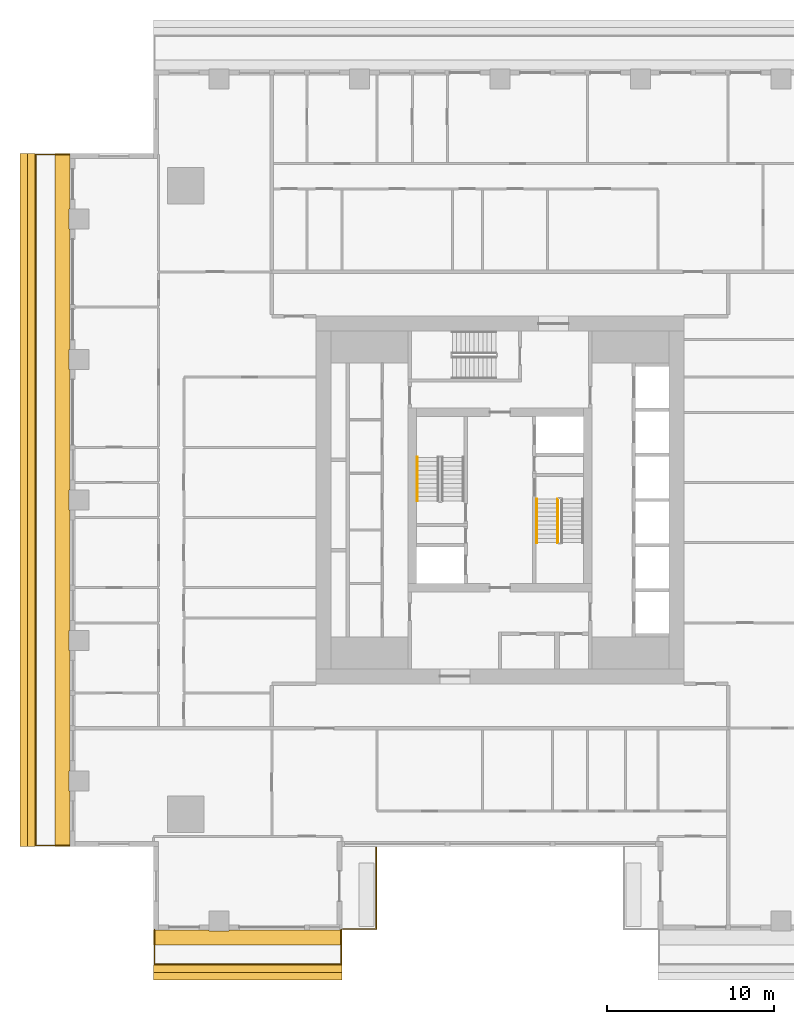
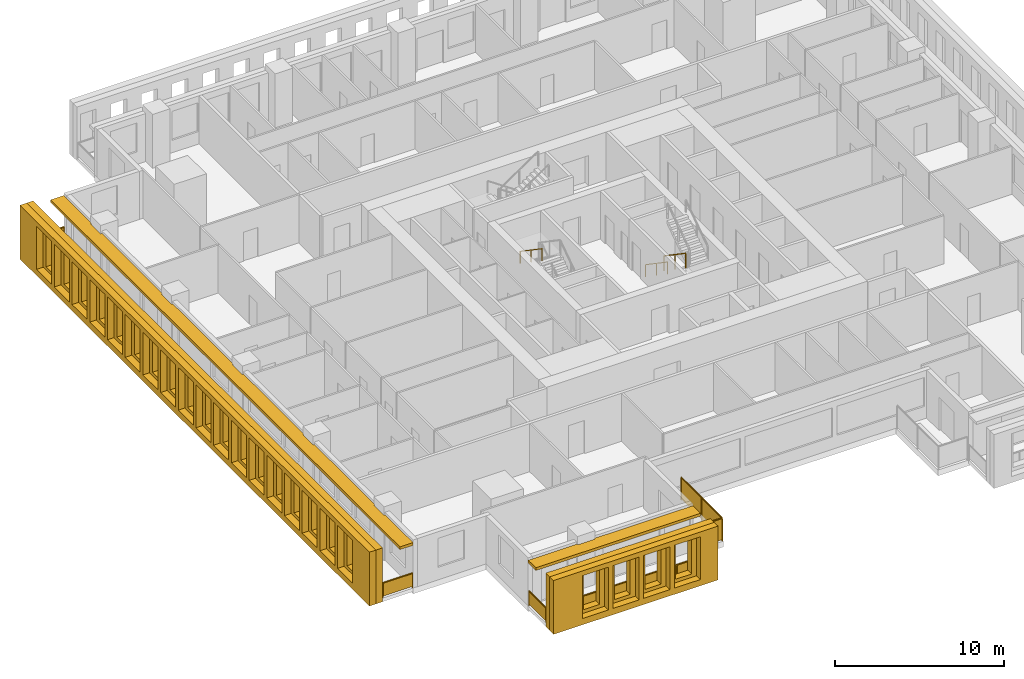
# One storey, part 10 of 14: 6 railings, 6 shading devices.
"""IFC4 building model written with IfcOpenShell, lengths in metres."""

from ifc_helpers import new_model, si_unit, direction, frame, origin, origin_2d, place, context, subcontext, project, spatial, polyline, rectangle, outline, extrude, material, layer, layer_set, type_object, element, save


model = new_model("IFC4")

# Units and contexts
model_context = context("Model", 3, precision=1e-05, world=origin(), true_north=direction((0.0, 1.0)))
body_context = subcontext(model_context, "Body", "Model", "MODEL_VIEW")
ifc_project = project(units=[si_unit("LENGTHUNIT", "METRE"), si_unit("AREAUNIT", "SQUARE_METRE"), si_unit("VOLUMEUNIT", "CUBIC_METRE"), si_unit("PLANEANGLEUNIT", "RADIAN"), si_unit("MASSUNIT", "GRAM", prefix="KILO")], contexts=[model_context])

# Site, building, storey
site_placement = place(None, origin())
site = spatial("IfcSite", under=ifc_project, at=site_placement, CompositionType="ELEMENT")
building_placement = place(site_placement, origin())
building = spatial("IfcBuilding", under=site, at=building_placement, Name="Khepri Terraces", CompositionType="ELEMENT")
storey_placement = place(building_placement, frame((0.0, 0.0, 264.0)))
storey = spatial("IfcBuildingStorey", under=building, at=storey_placement, Name="L63", CompositionType="ELEMENT", Elevation=264.0)

# Railings
ifc_material_1 = material(Name="Stainless steel grade 316", Category="steel")
railing_type_1 = type_object("IfcRailingType", Name="GRD-BAL-1100", PredefinedType="GUARDRAIL", material=ifc_material_1)
railing_1_placement = place(storey_placement, frame((-20.669921875, -25.719970703125, 0.0)))
element("IfcRailing", 1, at=railing_1_placement, inside=storey, type_object=railing_type_1, Name="Balcony guard L63 S", PredefinedType="GUARDRAIL", context=body_context, shape_type="SweptSolid", body=[
    extrude(rectangle(XDim=0.050048828125, YDim=0.06005859375, at=origin_2d()), frame((0.0, 0.0, 1.070068359375), z_axis=(0.0, -1.0, 0.0), x_axis=(1.0, 0.0, 0.0)), (0.0, 0.0, 1.0), 2.050048828125),
    extrude(rectangle(XDim=2.0, YDim=0.011962890625, at=origin_2d()), frame((0.0, -1.02490234375, 0.10009765625), z_axis=(0.0, 0.0, 1.0), x_axis=(0.0, -1.0, 0.0)), (0.0, 0.0, 1.0), 0.93994140625),
    extrude(rectangle(XDim=0.050048828125, YDim=0.06005859375, at=origin_2d()), frame((0.0, -2.050048828125, 1.070068359375), z_axis=(1.0, 0.0, 0.0), x_axis=(0.0, 1.0, 0.0)), (0.0, 0.0, 1.0), 11.169921875),
    extrude(rectangle(XDim=2.183837890625, YDim=0.011962890625, at=origin_2d()), frame((1.116943359375, -2.050048828125, 0.10009765625), z_axis=(0.0, 0.0, 1.0), x_axis=(1.0, 0.0, 0.0)), (0.0, 0.0, 1.0), 0.93994140625),
    extrude(rectangle(XDim=2.183837890625, YDim=0.011962890625, at=origin_2d()), frame((3.35107421875, -2.050048828125, 0.10009765625), z_axis=(0.0, 0.0, 1.0), x_axis=(1.0, 0.0, 0.0)), (0.0, 0.0, 1.0), 0.93994140625),
    extrude(rectangle(XDim=2.183837890625, YDim=0.011962890625, at=origin_2d()), frame((5.5849609375, -2.050048828125, 0.10009765625), z_axis=(0.0, 0.0, 1.0), x_axis=(1.0, 0.0, 0.0)), (0.0, 0.0, 1.0), 0.93994140625),
    extrude(rectangle(XDim=2.183837890625, YDim=0.011962890625, at=origin_2d()), frame((7.81884765625, -2.050048828125, 0.10009765625), z_axis=(0.0, 0.0, 1.0), x_axis=(1.0, 0.0, 0.0)), (0.0, 0.0, 1.0), 0.93994140625),
    extrude(rectangle(XDim=2.183837890625, YDim=0.011962890625, at=origin_2d()), frame((10.052978515625, -2.050048828125, 0.10009765625), z_axis=(0.0, 0.0, 1.0), x_axis=(1.0, 0.0, 0.0)), (0.0, 0.0, 1.0), 0.93994140625),
    extrude(rectangle(XDim=0.050048828125, YDim=0.06005859375, at=origin_2d()), frame((11.169921875, -2.050048828125, 1.070068359375), z_axis=(0.0, 1.0, 0.0), x_axis=(-1.0, 0.0, 0.0)), (0.0, 0.0, 1.0), 2.050048828125),
    extrude(rectangle(XDim=2.0, YDim=0.011962890625, at=origin_2d()), frame((11.169921875, -1.02490234375, 0.10009765625), z_axis=(0.0, 0.0, 1.0), x_axis=(0.0, 1.0, 0.0)), (0.0, 0.0, 1.0), 0.93994140625),
    extrude(rectangle(XDim=0.050048828125, YDim=0.050048828125, at=origin_2d()), origin(), (0.0, 0.0, 1.0), 1.0400390625),
    extrude(rectangle(XDim=0.050048828125, YDim=0.050048828125, at=origin_2d()), frame((0.0, -2.050048828125, 0.0)), (0.0, 0.0, 1.0), 1.0400390625),
    extrude(rectangle(XDim=0.050048828125, YDim=0.050048828125, at=origin_2d()), frame((2.23388671875, -2.050048828125, 0.0)), (0.0, 0.0, 1.0), 1.0400390625),
    extrude(rectangle(XDim=0.050048828125, YDim=0.050048828125, at=origin_2d()), frame((4.468017578125, -2.050048828125, 0.0)), (0.0, 0.0, 1.0), 1.0400390625),
    extrude(rectangle(XDim=0.050048828125, YDim=0.050048828125, at=origin_2d()), frame((6.701904296875, -2.050048828125, 0.0)), (0.0, 0.0, 1.0), 1.0400390625),
    extrude(rectangle(XDim=0.050048828125, YDim=0.050048828125, at=origin_2d()), frame((8.93603515625, -2.050048828125, 0.0)), (0.0, 0.0, 1.0), 1.0400390625),
    extrude(rectangle(XDim=0.050048828125, YDim=0.050048828125, at=origin_2d()), frame((11.169921875, -2.050048828125, 0.0)), (0.0, 0.0, 1.0), 1.0400390625),
    extrude(rectangle(XDim=0.050048828125, YDim=0.050048828125, at=origin_2d()), frame((11.169921875, 0.0, 0.0)), (0.0, 0.0, 1.0), 1.0400390625),
])
railing_2_placement = place(storey_placement, frame((-25.719970703125, 20.669921875, 0.0)))
element("IfcRailing", 2, at=railing_2_placement, inside=storey, type_object=railing_type_1, Name="Balcony guard L63 W", PredefinedType="GUARDRAIL", context=body_context, shape_type="SweptSolid", body=[
    extrude(rectangle(XDim=0.050048828125, YDim=0.06005859375, at=origin_2d()), frame((0.0, 0.0, 1.070068359375), z_axis=(-1.0, 0.0, 0.0), x_axis=(0.0, -1.0, 0.0)), (0.0, 0.0, 1.0), 2.050048828125),
    extrude(rectangle(XDim=2.0, YDim=0.011962890625, at=origin_2d()), frame((-1.02490234375, 0.0, 0.10009765625), z_axis=(0.0, 0.0, 1.0), x_axis=(-1.0, 0.0, 0.0)), (0.0, 0.0, 1.0), 0.93994140625),
    extrude(rectangle(XDim=0.050048828125, YDim=0.06005859375, at=origin_2d()), frame((-2.050048828125, 0.0, 1.070068359375), z_axis=(0.0, -1.0, 0.0), x_axis=(1.0, 0.0, 0.0)), (0.0, 0.0, 1.0), 41.33984375),
    extrude(rectangle(XDim=2.24658203125, YDim=0.011962890625, at=origin_2d()), frame((-2.050048828125, -1.1484375, 0.10009765625), z_axis=(0.0, 0.0, 1.0), x_axis=(0.0, -1.0, 0.0)), (0.0, 0.0, 1.0), 0.93994140625),
    extrude(rectangle(XDim=2.24658203125, YDim=0.011962890625, at=origin_2d()), frame((-2.050048828125, -3.445068359375, 0.10009765625), z_axis=(0.0, 0.0, 1.0), x_axis=(0.0, -1.0, 0.0)), (0.0, 0.0, 1.0), 0.93994140625),
    extrude(rectangle(XDim=2.24658203125, YDim=0.011962890625, at=origin_2d()), frame((-2.050048828125, -5.74169921875, 0.10009765625), z_axis=(0.0, 0.0, 1.0), x_axis=(0.0, -1.0, 0.0)), (0.0, 0.0, 1.0), 0.93994140625),
    extrude(rectangle(XDim=2.24658203125, YDim=0.011962890625, at=origin_2d()), frame((-2.050048828125, -8.038330078125, 0.10009765625), z_axis=(0.0, 0.0, 1.0), x_axis=(0.0, -1.0, 0.0)), (0.0, 0.0, 1.0), 0.93994140625),
    extrude(rectangle(XDim=2.24658203125, YDim=0.011962890625, at=origin_2d()), frame((-2.050048828125, -10.3349609375, 0.10009765625), z_axis=(0.0, 0.0, 1.0), x_axis=(0.0, -1.0, 0.0)), (0.0, 0.0, 1.0), 0.93994140625),
    extrude(rectangle(XDim=2.24658203125, YDim=0.011962890625, at=origin_2d()), frame((-2.050048828125, -12.631591796875, 0.10009765625), z_axis=(0.0, 0.0, 1.0), x_axis=(0.0, -1.0, 0.0)), (0.0, 0.0, 1.0), 0.93994140625),
    extrude(rectangle(XDim=2.24658203125, YDim=0.011962890625, at=origin_2d()), frame((-2.050048828125, -14.92822265625, 0.10009765625), z_axis=(0.0, 0.0, 1.0), x_axis=(0.0, -1.0, 0.0)), (0.0, 0.0, 1.0), 0.93994140625),
    extrude(rectangle(XDim=2.24658203125, YDim=0.011962890625, at=origin_2d()), frame((-2.050048828125, -17.224853515625, 0.10009765625), z_axis=(0.0, 0.0, 1.0), x_axis=(0.0, -1.0, 0.0)), (0.0, 0.0, 1.0), 0.93994140625),
    extrude(rectangle(XDim=2.24658203125, YDim=0.011962890625, at=origin_2d()), frame((-2.050048828125, -19.521484375, 0.10009765625), z_axis=(0.0, 0.0, 1.0), x_axis=(0.0, -1.0, 0.0)), (0.0, 0.0, 1.0), 0.93994140625),
    extrude(rectangle(XDim=2.24658203125, YDim=0.011962890625, at=origin_2d()), frame((-2.050048828125, -21.818359375, 0.10009765625), z_axis=(0.0, 0.0, 1.0), x_axis=(0.0, -1.0, 0.0)), (0.0, 0.0, 1.0), 0.93994140625),
    extrude(rectangle(XDim=2.24658203125, YDim=0.011962890625, at=origin_2d()), frame((-2.050048828125, -24.114990234375, 0.10009765625), z_axis=(0.0, 0.0, 1.0), x_axis=(0.0, -1.0, 0.0)), (0.0, 0.0, 1.0), 0.93994140625),
    extrude(rectangle(XDim=2.24658203125, YDim=0.011962890625, at=origin_2d()), frame((-2.050048828125, -26.41162109375, 0.10009765625), z_axis=(0.0, 0.0, 1.0), x_axis=(0.0, -1.0, 0.0)), (0.0, 0.0, 1.0), 0.93994140625),
    extrude(rectangle(XDim=2.24658203125, YDim=0.011962890625, at=origin_2d()), frame((-2.050048828125, -28.708251953125, 0.10009765625), z_axis=(0.0, 0.0, 1.0), x_axis=(0.0, -1.0, 0.0)), (0.0, 0.0, 1.0), 0.93994140625),
    extrude(rectangle(XDim=2.24658203125, YDim=0.011962890625, at=origin_2d()), frame((-2.050048828125, -31.0048828125, 0.10009765625), z_axis=(0.0, 0.0, 1.0), x_axis=(0.0, -1.0, 0.0)), (0.0, 0.0, 1.0), 0.93994140625),
    extrude(rectangle(XDim=2.24658203125, YDim=0.011962890625, at=origin_2d()), frame((-2.050048828125, -33.301513671875, 0.10009765625), z_axis=(0.0, 0.0, 1.0), x_axis=(0.0, -1.0, 0.0)), (0.0, 0.0, 1.0), 0.93994140625),
    extrude(rectangle(XDim=2.24658203125, YDim=0.011962890625, at=origin_2d()), frame((-2.050048828125, -35.59814453125, 0.10009765625), z_axis=(0.0, 0.0, 1.0), x_axis=(0.0, -1.0, 0.0)), (0.0, 0.0, 1.0), 0.93994140625),
    extrude(rectangle(XDim=2.24658203125, YDim=0.011962890625, at=origin_2d()), frame((-2.050048828125, -37.894775390625, 0.10009765625), z_axis=(0.0, 0.0, 1.0), x_axis=(0.0, -1.0, 0.0)), (0.0, 0.0, 1.0), 0.93994140625),
    extrude(rectangle(XDim=2.24658203125, YDim=0.011962890625, at=origin_2d()), frame((-2.050048828125, -40.19140625, 0.10009765625), z_axis=(0.0, 0.0, 1.0), x_axis=(0.0, -1.0, 0.0)), (0.0, 0.0, 1.0), 0.93994140625),
    extrude(rectangle(XDim=0.050048828125, YDim=0.06005859375, at=origin_2d()), frame((-2.050048828125, -41.33984375, 1.070068359375), z_axis=(1.0, 0.0, 0.0), x_axis=(0.0, 1.0, 0.0)), (0.0, 0.0, 1.0), 2.050048828125),
    extrude(rectangle(XDim=2.0, YDim=0.011962890625, at=origin_2d()), frame((-1.02490234375, -41.33984375, 0.10009765625), z_axis=(0.0, 0.0, 1.0), x_axis=(1.0, 0.0, 0.0)), (0.0, 0.0, 1.0), 0.93994140625),
    extrude(rectangle(XDim=0.050048828125, YDim=0.050048828125, at=origin_2d()), origin(), (0.0, 0.0, 1.0), 1.0400390625),
    extrude(rectangle(XDim=0.050048828125, YDim=0.050048828125, at=origin_2d()), frame((-2.050048828125, 0.0, 0.0)), (0.0, 0.0, 1.0), 1.0400390625),
    extrude(rectangle(XDim=0.050048828125, YDim=0.050048828125, at=origin_2d()), frame((-2.050048828125, -2.296630859375, 0.0)), (0.0, 0.0, 1.0), 1.0400390625),
    extrude(rectangle(XDim=0.050048828125, YDim=0.050048828125, at=origin_2d()), frame((-2.050048828125, -4.59326171875, 0.0)), (0.0, 0.0, 1.0), 1.0400390625),
    extrude(rectangle(XDim=0.050048828125, YDim=0.050048828125, at=origin_2d()), frame((-2.050048828125, -6.889892578125, 0.0)), (0.0, 0.0, 1.0), 1.0400390625),
    extrude(rectangle(XDim=0.050048828125, YDim=0.050048828125, at=origin_2d()), frame((-2.050048828125, -9.1865234375, 0.0)), (0.0, 0.0, 1.0), 1.0400390625),
    extrude(rectangle(XDim=0.050048828125, YDim=0.050048828125, at=origin_2d()), frame((-2.050048828125, -11.4833984375, 0.0)), (0.0, 0.0, 1.0), 1.0400390625),
    extrude(rectangle(XDim=0.050048828125, YDim=0.050048828125, at=origin_2d()), frame((-2.050048828125, -13.780029296875, 0.0)), (0.0, 0.0, 1.0), 1.0400390625),
    extrude(rectangle(XDim=0.050048828125, YDim=0.050048828125, at=origin_2d()), frame((-2.050048828125, -16.07666015625, 0.0)), (0.0, 0.0, 1.0), 1.0400390625),
    extrude(rectangle(XDim=0.050048828125, YDim=0.050048828125, at=origin_2d()), frame((-2.050048828125, -18.373291015625, 0.0)), (0.0, 0.0, 1.0), 1.0400390625),
    extrude(rectangle(XDim=0.050048828125, YDim=0.050048828125, at=origin_2d()), frame((-2.050048828125, -20.669921875, 0.0)), (0.0, 0.0, 1.0), 1.0400390625),
    extrude(rectangle(XDim=0.050048828125, YDim=0.050048828125, at=origin_2d()), frame((-2.050048828125, -22.966552734375, 0.0)), (0.0, 0.0, 1.0), 1.0400390625),
    extrude(rectangle(XDim=0.050048828125, YDim=0.050048828125, at=origin_2d()), frame((-2.050048828125, -25.26318359375, 0.0)), (0.0, 0.0, 1.0), 1.0400390625),
    extrude(rectangle(XDim=0.050048828125, YDim=0.050048828125, at=origin_2d()), frame((-2.050048828125, -27.559814453125, 0.0)), (0.0, 0.0, 1.0), 1.0400390625),
    extrude(rectangle(XDim=0.050048828125, YDim=0.050048828125, at=origin_2d()), frame((-2.050048828125, -29.8564453125, 0.0)), (0.0, 0.0, 1.0), 1.0400390625),
    extrude(rectangle(XDim=0.050048828125, YDim=0.050048828125, at=origin_2d()), frame((-2.050048828125, -32.1533203125, 0.0)), (0.0, 0.0, 1.0), 1.0400390625),
    extrude(rectangle(XDim=0.050048828125, YDim=0.050048828125, at=origin_2d()), frame((-2.050048828125, -34.449951171875, 0.0)), (0.0, 0.0, 1.0), 1.0400390625),
    extrude(rectangle(XDim=0.050048828125, YDim=0.050048828125, at=origin_2d()), frame((-2.050048828125, -36.74658203125, 0.0)), (0.0, 0.0, 1.0), 1.0400390625),
    extrude(rectangle(XDim=0.050048828125, YDim=0.050048828125, at=origin_2d()), frame((-2.050048828125, -39.043212890625, 0.0)), (0.0, 0.0, 1.0), 1.0400390625),
    extrude(rectangle(XDim=0.050048828125, YDim=0.050048828125, at=origin_2d()), frame((-2.050048828125, -41.33984375, 0.0)), (0.0, 0.0, 1.0), 1.0400390625),
    extrude(rectangle(XDim=0.050048828125, YDim=0.050048828125, at=origin_2d()), frame((0.0, -41.33984375, 0.0)), (0.0, 0.0, 1.0), 1.0400390625),
])
railing_type_2 = type_object("IfcRailingType", Name="GRD-TERR-1700", PredefinedType="GUARDRAIL", material=ifc_material_1)
railing_3_placement = place(storey_placement, frame((-7.39990234375, -20.7900390625, 0.0)))
element("IfcRailing", 3, at=railing_3_placement, inside=storey, type_object=railing_type_2, Name="Terrace guard L63", PredefinedType="GUARDRAIL", context=body_context, shape_type="SweptSolid", body=[
    extrude(rectangle(XDim=0.050048828125, YDim=0.06005859375, at=origin_2d()), frame((0.0, 0.0, 1.669921875), z_axis=(0.0, -1.0, 0.0), x_axis=(1.0, 0.0, 0.0)), (0.0, 0.0, 1.0), 4.8798828125),
    extrude(rectangle(XDim=2.389892578125, YDim=0.011962890625, at=origin_2d()), frame((0.0, -1.219970703125, 0.10009765625), z_axis=(0.0, 0.0, 1.0), x_axis=(0.0, -1.0, 0.0)), (0.0, 0.0, 1.0), 1.539794921875),
    extrude(rectangle(XDim=2.389892578125, YDim=0.011962890625, at=origin_2d()), frame((0.0, -3.659912109375, 0.10009765625), z_axis=(0.0, 0.0, 1.0), x_axis=(0.0, -1.0, 0.0)), (0.0, 0.0, 1.0), 1.539794921875),
    extrude(rectangle(XDim=0.050048828125, YDim=0.06005859375, at=origin_2d()), frame((0.0, -4.8798828125, 1.669921875), z_axis=(-1.0, 0.0, 0.0), x_axis=(0.0, -1.0, 0.0)), (0.0, 0.0, 1.0), 1.97998046875),
    extrude(rectangle(XDim=1.929931640625, YDim=0.011962890625, at=origin_2d()), frame((-0.989990234375, -4.8798828125, 0.10009765625), z_axis=(0.0, 0.0, 1.0), x_axis=(-1.0, 0.0, 0.0)), (0.0, 0.0, 1.0), 1.539794921875),
    extrude(rectangle(XDim=0.050048828125, YDim=0.050048828125, at=origin_2d()), origin(), (0.0, 0.0, 1.0), 1.639892578125),
    extrude(rectangle(XDim=0.050048828125, YDim=0.050048828125, at=origin_2d()), frame((0.0, -2.43994140625, 0.0)), (0.0, 0.0, 1.0), 1.639892578125),
    extrude(rectangle(XDim=0.050048828125, YDim=0.050048828125, at=origin_2d()), frame((0.0, -4.8798828125, 0.0)), (0.0, 0.0, 1.0), 1.639892578125),
    extrude(rectangle(XDim=0.050048828125, YDim=0.050048828125, at=origin_2d()), frame((-1.97998046875, -4.8798828125, 0.0)), (0.0, 0.0, 1.0), 1.639892578125),
])
ifc_material_2 = material(Name="Stainless steel 316", Category="steel")
railing_type_3 = type_object("IfcRailingType", Name="RL-CORE-GUARD", PredefinedType="GUARDRAIL", material=ifc_material_2)
railing_4_placement = place(storey_placement, frame((3.449951171875, 0.050048828125, 0.17724609375)))
element("IfcRailing", 4, at=railing_4_placement, inside=storey, type_object=railing_type_3, Name="L63 ST-2 stair guard 1", PredefinedType="GUARDRAIL", context=body_context, shape_type="SweptSolid", body=[
    extrude(rectangle(XDim=0.050048828125, YDim=0.06005859375, at=origin_2d()), frame((0.0, 0.0, 1.070068359375), z_axis=(0.0, -0.826240473404, 0.563317565952), x_axis=(1.0, 0.0, 0.0)), (0.0, 0.0, 1.0), 3.14697265625),
    extrude(rectangle(XDim=0.050048828125, YDim=0.050048828125, at=origin_2d()), origin(), (0.0, 0.0, 1.0), 1.0400390625),
    extrude(rectangle(XDim=0.050048828125, YDim=0.050048828125, at=origin_2d()), frame((0.0, -1.300048828125, 0.88623046875)), (0.0, 0.0, 1.0), 1.0400390625),
    extrude(rectangle(XDim=0.050048828125, YDim=0.050048828125, at=origin_2d()), frame((0.0, -2.60009765625, 1.772705078125)), (0.0, 0.0, 1.0), 1.0400390625),
])
railing_type_4 = type_object("IfcRailingType", Name="RL-CORE-HANDRAIL", PredefinedType="HANDRAIL", material=ifc_material_2)
for number, where, name in (
    (5, (-4.949951171875, 2.550048828125, 2.127197265625), "L63 ST-1 stair handrail 2"),
    (6, (2.199951171875, 0.050048828125, 0.17724609375), "L63 ST-2 stair handrail 1"),
):
    element("IfcRailing", number, at=place(storey_placement, frame(where)), inside=storey, type_object=railing_type_4, Name=name, PredefinedType="HANDRAIL", context=body_context, shape_type="SweptSolid", body=[
        extrude(rectangle(XDim=0.050048828125, YDim=0.050048828125, at=origin_2d()), frame((0.0, 0.0, 0.875), z_axis=(0.0, -0.826240473404, 0.563317565952), x_axis=(1.0, 0.0, 0.0)), (0.0, 0.0, 1.0), 3.14697265625),
        extrude(rectangle(XDim=0.050048828125, YDim=0.050048828125, at=origin_2d()), origin(), (0.0, 0.0, 1.0), 0.849853515625),
        extrude(rectangle(XDim=0.050048828125, YDim=0.050048828125, at=origin_2d()), frame((0.0, -1.300048828125, 0.88623046875)), (0.0, 0.0, 1.0), 0.849853515625),
        extrude(rectangle(XDim=0.050048828125, YDim=0.050048828125, at=origin_2d()), frame((0.0, -2.60009765625, 1.772705078125)), (0.0, 0.0, 1.0), 0.849853515625),
    ])

# Shading devices
ifc_material_3 = material(Name="Precast concrete C50/60 warm stone", Category="masonry")
shading_device_type_1 = type_object("IfcShadingDeviceType", Name="SCR-CELL-INNER-450", PredefinedType="USERDEFINED", material=ifc_material_3)
shading_device_1_placement = place(storey_placement, frame((-20.719970703125, -27.820068359375, -0.25), z_axis=(0.0, -1.0, 0.0), x_axis=(1.0, 0.0, 0.0)))
element("IfcShadingDevice", 7, at=shading_device_1_placement, inside=storey, type_object=shading_device_type_1, Name="Cell screen L63 S in", ObjectType="SCREEN", PredefinedType="USERDEFINED", context=body_context, shape_type="SweptSolid", body=[
    extrude(outline(polyline([(0.0, 0.0), (11.27001953125, 0.0), (11.27001953125, 3.89990234375), (0.0, 3.89990234375), (0.0, 0.0)]), holes=[polyline([(0.2265625, 0.699951171875), (1.3134765625, 0.699951171875), (1.3134765625, 3.300048828125), (0.2265625, 3.300048828125), (0.2265625, 0.699951171875)]), polyline([(2.32666015625, 0.699951171875), (3.413330078125, 0.699951171875), (3.413330078125, 3.300048828125), (2.32666015625, 3.300048828125), (2.32666015625, 0.699951171875)]), polyline([(4.426513671875, 0.699951171875), (5.513427734375, 0.699951171875), (5.513427734375, 3.300048828125), (4.426513671875, 3.300048828125), (4.426513671875, 0.699951171875)]), polyline([(6.526611328125, 0.699951171875), (7.61328125, 0.699951171875), (7.61328125, 3.300048828125), (6.526611328125, 3.300048828125), (6.526611328125, 0.699951171875)]), polyline([(8.626708984375, 0.699951171875), (9.71337890625, 0.699951171875), (9.71337890625, 3.300048828125), (8.626708984375, 3.300048828125), (8.626708984375, 0.699951171875)])]), origin(), (0.0, 0.0, 1.0), 0.449951171875),
])
shading_device_2_placement = place(storey_placement, frame((-27.820068359375, 20.719970703125, -0.25), z_axis=(-1.0, 0.0, 0.0), x_axis=(0.0, -1.0, 0.0)))
element("IfcShadingDevice", 8, at=shading_device_2_placement, inside=storey, type_object=shading_device_type_1, Name="Cell screen L63 W in", ObjectType="SCREEN", PredefinedType="USERDEFINED", context=body_context, shape_type="SweptSolid", body=[
    extrude(outline(polyline([(0.0, 0.0), (41.43994140625, 0.0), (41.43994140625, 3.89990234375), (0.0, 3.89990234375), (0.0, 0.0)]), holes=[polyline([(0.2265625, 0.699951171875), (1.3134765625, 0.699951171875), (1.3134765625, 3.300048828125), (0.2265625, 3.300048828125), (0.2265625, 0.699951171875)]), polyline([(2.32666015625, 0.699951171875), (3.413330078125, 0.699951171875), (3.413330078125, 3.300048828125), (2.32666015625, 3.300048828125), (2.32666015625, 0.699951171875)]), polyline([(4.426513671875, 0.699951171875), (5.513427734375, 0.699951171875), (5.513427734375, 3.300048828125), (4.426513671875, 3.300048828125), (4.426513671875, 0.699951171875)]), polyline([(6.526611328125, 0.699951171875), (7.61328125, 0.699951171875), (7.61328125, 3.300048828125), (6.526611328125, 3.300048828125), (6.526611328125, 0.699951171875)]), polyline([(8.626708984375, 0.699951171875), (9.71337890625, 0.699951171875), (9.71337890625, 3.300048828125), (8.626708984375, 3.300048828125), (8.626708984375, 0.699951171875)]), polyline([(10.7265625, 0.699951171875), (11.8134765625, 0.699951171875), (11.8134765625, 3.300048828125), (10.7265625, 3.300048828125), (10.7265625, 0.699951171875)]), polyline([(12.82666015625, 0.699951171875), (13.913330078125, 0.699951171875), (13.913330078125, 3.300048828125), (12.82666015625, 3.300048828125), (12.82666015625, 0.699951171875)]), polyline([(14.926513671875, 0.699951171875), (16.013427734375, 0.699951171875), (16.013427734375, 3.300048828125), (14.926513671875, 3.300048828125), (14.926513671875, 0.699951171875)]), polyline([(17.026611328125, 0.699951171875), (18.11328125, 0.699951171875), (18.11328125, 3.300048828125), (17.026611328125, 3.300048828125), (17.026611328125, 0.699951171875)]), polyline([(19.126708984375, 0.699951171875), (20.21337890625, 0.699951171875), (20.21337890625, 3.300048828125), (19.126708984375, 3.300048828125), (19.126708984375, 0.699951171875)]), polyline([(21.2265625, 0.699951171875), (22.3134765625, 0.699951171875), (22.3134765625, 3.300048828125), (21.2265625, 3.300048828125), (21.2265625, 0.699951171875)]), polyline([(23.32666015625, 0.699951171875), (24.413330078125, 0.699951171875), (24.413330078125, 3.300048828125), (23.32666015625, 3.300048828125), (23.32666015625, 0.699951171875)]), polyline([(25.426513671875, 0.699951171875), (26.513427734375, 0.699951171875), (26.513427734375, 3.300048828125), (25.426513671875, 3.300048828125), (25.426513671875, 0.699951171875)]), polyline([(27.526611328125, 0.699951171875), (28.61328125, 0.699951171875), (28.61328125, 3.300048828125), (27.526611328125, 3.300048828125), (27.526611328125, 0.699951171875)]), polyline([(29.626708984375, 0.699951171875), (30.71337890625, 0.699951171875), (30.71337890625, 3.300048828125), (29.626708984375, 3.300048828125), (29.626708984375, 0.699951171875)]), polyline([(31.7265625, 0.699951171875), (32.8134765625, 0.699951171875), (32.8134765625, 3.300048828125), (31.7265625, 3.300048828125), (31.7265625, 0.699951171875)]), polyline([(33.82666015625, 0.699951171875), (34.913330078125, 0.699951171875), (34.913330078125, 3.300048828125), (33.82666015625, 3.300048828125), (33.82666015625, 0.699951171875)]), polyline([(35.926513671875, 0.699951171875), (37.013427734375, 0.699951171875), (37.013427734375, 3.300048828125), (35.926513671875, 3.300048828125), (35.926513671875, 0.699951171875)]), polyline([(38.026611328125, 0.699951171875), (39.11328125, 0.699951171875), (39.11328125, 3.300048828125), (38.026611328125, 3.300048828125), (38.026611328125, 0.699951171875)]), polyline([(40.126708984375, 0.699951171875), (41.21337890625, 0.699951171875), (41.21337890625, 3.300048828125), (40.126708984375, 3.300048828125), (40.126708984375, 0.699951171875)])]), origin(), (0.0, 0.0, 1.0), 0.449951171875),
])
shading_device_type_2 = type_object("IfcShadingDeviceType", Name="SCR-CELL-OUTER-450", PredefinedType="USERDEFINED", material=ifc_material_3)
shading_device_3_placement = place(storey_placement, frame((-20.719970703125, -28.27001953125, -0.25), z_axis=(0.0, -1.0, 0.0), x_axis=(1.0, 0.0, 0.0)))
element("IfcShadingDevice", 9, at=shading_device_3_placement, inside=storey, type_object=shading_device_type_2, Name="Cell screen L63 S out", ObjectType="SCREEN", PredefinedType="USERDEFINED", context=body_context, shape_type="SweptSolid", body=[
    extrude(outline(polyline([(0.0, 0.0), (11.27001953125, 0.0), (11.27001953125, 3.89990234375), (0.0, 3.89990234375), (0.0, 0.0)]), holes=[polyline([(1.9765625, 0.449951171875), (3.763427734375, 0.449951171875), (3.763427734375, 3.550048828125), (1.9765625, 3.550048828125), (1.9765625, 0.449951171875)]), polyline([(4.07666015625, 0.449951171875), (5.86328125, 0.449951171875), (5.86328125, 3.550048828125), (4.07666015625, 3.550048828125), (4.07666015625, 0.449951171875)]), polyline([(6.176513671875, 0.449951171875), (7.96337890625, 0.449951171875), (7.96337890625, 3.550048828125), (6.176513671875, 3.550048828125), (6.176513671875, 0.449951171875)]), polyline([(8.276611328125, 0.449951171875), (10.0634765625, 0.449951171875), (10.0634765625, 3.550048828125), (8.276611328125, 3.550048828125), (8.276611328125, 0.449951171875)])]), origin(), (0.0, 0.0, 1.0), 0.449951171875),
])
shading_device_4_placement = place(storey_placement, frame((-28.27001953125, 20.719970703125, -0.25), z_axis=(-1.0, 0.0, 0.0), x_axis=(0.0, -1.0, 0.0)))
element("IfcShadingDevice", 10, at=shading_device_4_placement, inside=storey, type_object=shading_device_type_2, Name="Cell screen L63 W out", ObjectType="SCREEN", PredefinedType="USERDEFINED", context=body_context, shape_type="SweptSolid", body=[
    extrude(outline(polyline([(0.0, 0.0), (41.43994140625, 0.0), (41.43994140625, 3.89990234375), (0.0, 3.89990234375), (0.0, 0.0)]), holes=[polyline([(1.9765625, 0.449951171875), (3.763427734375, 0.449951171875), (3.763427734375, 3.550048828125), (1.9765625, 3.550048828125), (1.9765625, 0.449951171875)]), polyline([(4.07666015625, 0.449951171875), (5.86328125, 0.449951171875), (5.86328125, 3.550048828125), (4.07666015625, 3.550048828125), (4.07666015625, 0.449951171875)]), polyline([(6.176513671875, 0.449951171875), (7.96337890625, 0.449951171875), (7.96337890625, 3.550048828125), (6.176513671875, 3.550048828125), (6.176513671875, 0.449951171875)]), polyline([(8.276611328125, 0.449951171875), (10.0634765625, 0.449951171875), (10.0634765625, 3.550048828125), (8.276611328125, 3.550048828125), (8.276611328125, 0.449951171875)]), polyline([(10.376708984375, 0.449951171875), (12.163330078125, 0.449951171875), (12.163330078125, 3.550048828125), (10.376708984375, 3.550048828125), (10.376708984375, 0.449951171875)]), polyline([(12.4765625, 0.449951171875), (14.263427734375, 0.449951171875), (14.263427734375, 3.550048828125), (12.4765625, 3.550048828125), (12.4765625, 0.449951171875)]), polyline([(14.57666015625, 0.449951171875), (16.36328125, 0.449951171875), (16.36328125, 3.550048828125), (14.57666015625, 3.550048828125), (14.57666015625, 0.449951171875)]), polyline([(16.676513671875, 0.449951171875), (18.46337890625, 0.449951171875), (18.46337890625, 3.550048828125), (16.676513671875, 3.550048828125), (16.676513671875, 0.449951171875)]), polyline([(18.776611328125, 0.449951171875), (20.5634765625, 0.449951171875), (20.5634765625, 3.550048828125), (18.776611328125, 3.550048828125), (18.776611328125, 0.449951171875)]), polyline([(20.876708984375, 0.449951171875), (22.663330078125, 0.449951171875), (22.663330078125, 3.550048828125), (20.876708984375, 3.550048828125), (20.876708984375, 0.449951171875)]), polyline([(22.9765625, 0.449951171875), (24.763427734375, 0.449951171875), (24.763427734375, 3.550048828125), (22.9765625, 3.550048828125), (22.9765625, 0.449951171875)]), polyline([(25.07666015625, 0.449951171875), (26.86328125, 0.449951171875), (26.86328125, 3.550048828125), (25.07666015625, 3.550048828125), (25.07666015625, 0.449951171875)]), polyline([(27.176513671875, 0.449951171875), (28.96337890625, 0.449951171875), (28.96337890625, 3.550048828125), (27.176513671875, 3.550048828125), (27.176513671875, 0.449951171875)]), polyline([(29.276611328125, 0.449951171875), (31.0634765625, 0.449951171875), (31.0634765625, 3.550048828125), (29.276611328125, 3.550048828125), (29.276611328125, 0.449951171875)]), polyline([(31.376708984375, 0.449951171875), (33.163330078125, 0.449951171875), (33.163330078125, 3.550048828125), (31.376708984375, 3.550048828125), (31.376708984375, 0.449951171875)]), polyline([(33.4765625, 0.449951171875), (35.263427734375, 0.449951171875), (35.263427734375, 3.550048828125), (33.4765625, 3.550048828125), (33.4765625, 0.449951171875)]), polyline([(35.57666015625, 0.449951171875), (37.36328125, 0.449951171875), (37.36328125, 3.550048828125), (35.57666015625, 3.550048828125), (35.57666015625, 0.449951171875)]), polyline([(37.676513671875, 0.449951171875), (39.46337890625, 0.449951171875), (39.46337890625, 3.550048828125), (37.676513671875, 3.550048828125), (37.676513671875, 0.449951171875)])]), origin(), (0.0, 0.0, 1.0), 0.449951171875),
])
ifc_layer = layer(ifc_material_3, 0.199951171875, Name="Precast concrete C50/60 warm stone", Category="masonry")
ifc_layer_set = layer_set([ifc_layer], Name="Precast concrete C50/60 warm stone")
shading_device_type_3 = type_object("IfcShadingDeviceType", Name="SSH-BAND-STONE-200", PredefinedType="USERDEFINED", material=ifc_layer_set)
shading_device_5_placement = place(storey_placement, frame((0.0, 0.0, 3.10009765625)))
element("IfcShadingDevice", 11, at=shading_device_5_placement, inside=storey, type_object=shading_device_type_3, Name="Sunshade band L63 S", ObjectType="SUNSHADE", PredefinedType="USERDEFINED", context=body_context, shape_type="SweptSolid", body=[
    extrude(outline(polyline([(-17.39990234375, -25.719970703125), (-20.719970703125, -25.719970703125), (-20.719970703125, -26.6201171875), (-9.449951171875, -26.6201171875), (-9.449951171875, -25.719970703125), (-16.199951171875, -25.719970703125), (-16.199951171875, -25.800048828125), (-17.39990234375, -25.800048828125), (-17.39990234375, -25.719970703125)])), origin(), (0.0, 0.0, 1.0), 0.199951171875),
])
shading_device_6_placement = place(storey_placement, frame((0.0, 0.0, 3.10009765625)))
element("IfcShadingDevice", 12, at=shading_device_6_placement, inside=storey, type_object=shading_device_type_3, Name="Sunshade band L63 W", ObjectType="SUNSHADE", PredefinedType="USERDEFINED", context=body_context, shape_type="SweptSolid", body=[
    extrude(outline(polyline([(-25.719970703125, 17.39990234375), (-25.719970703125, 20.719970703125), (-26.6201171875, 20.719970703125), (-26.6201171875, -20.719970703125), (-25.719970703125, -20.719970703125), (-25.719970703125, -17.39990234375), (-25.800048828125, -17.39990234375), (-25.800048828125, -16.199951171875), (-25.719970703125, -16.199951171875), (-25.719970703125, -9.0), (-25.800048828125, -9.0), (-25.800048828125, -7.800048828125), (-25.719970703125, -7.800048828125), (-25.719970703125, -0.60009765625), (-25.800048828125, -0.60009765625), (-25.800048828125, 0.60009765625), (-25.719970703125, 0.60009765625), (-25.719970703125, 7.800048828125), (-25.800048828125, 7.800048828125), (-25.800048828125, 9.0), (-25.719970703125, 9.0), (-25.719970703125, 16.199951171875), (-25.800048828125, 16.199951171875), (-25.800048828125, 17.39990234375), (-25.719970703125, 17.39990234375)])), origin(), (0.0, 0.0, 1.0), 0.199951171875),
])

save(model, "model.ifc")
